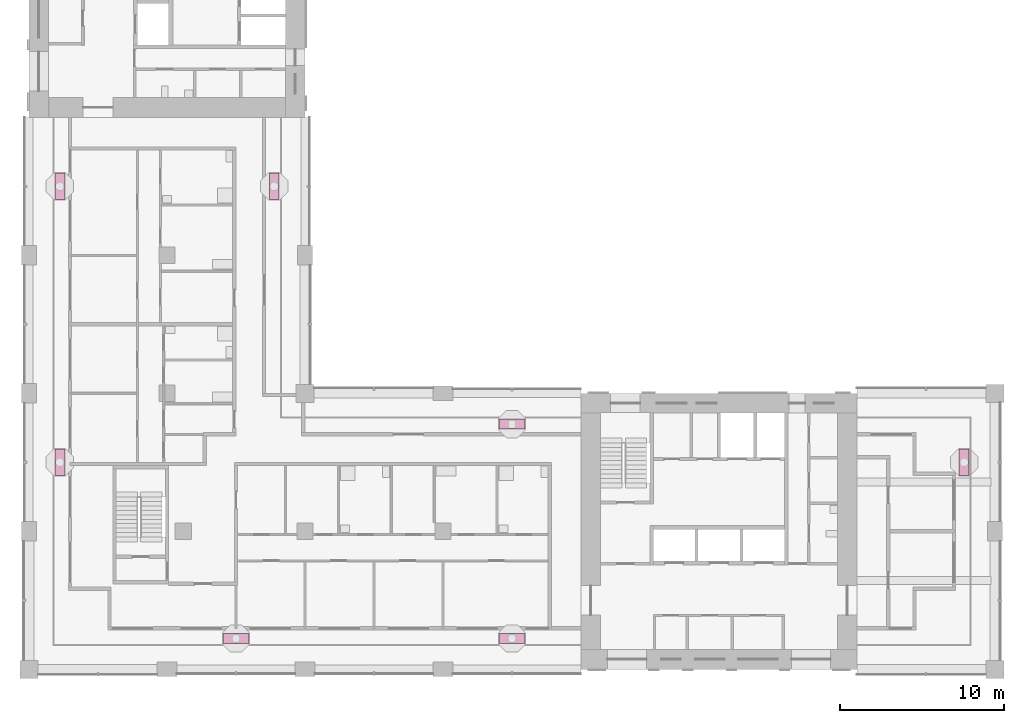
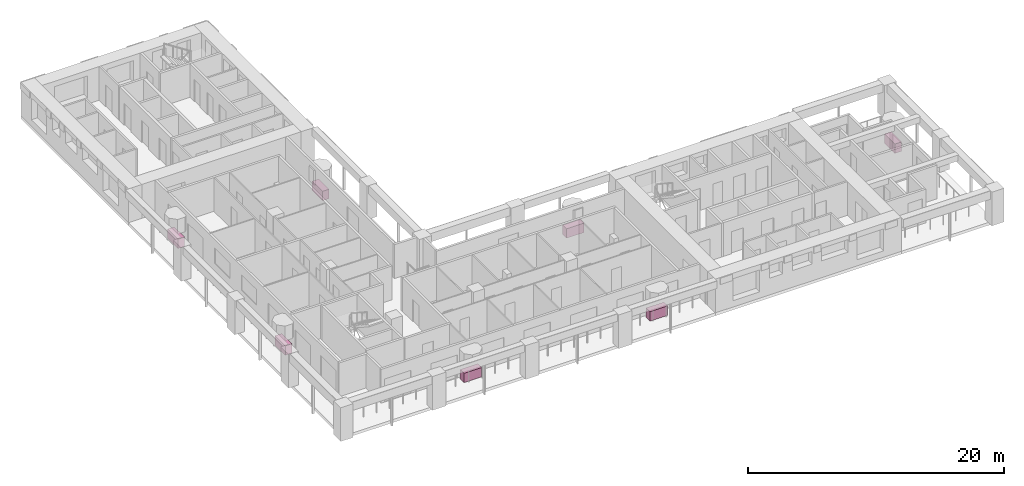
# One storey, part 12 of 13: 7 furniture elements.
"""IFC4 building model written with IfcOpenShell, lengths in metres."""

from ifc_helpers import new_model, si_unit, direction, frame, origin, origin_2d, place, context, subcontext, project, spatial, rectangle, extrude, material, element, save


model = new_model("IFC4")

# Units and contexts
model_context = context("Model", 3, precision=1e-05, world=origin(), true_north=direction((0.0, 1.0)))
body_context = subcontext(model_context, "Body", "Model", "MODEL_VIEW")
ifc_project = project(units=[si_unit("LENGTHUNIT", "METRE"), si_unit("AREAUNIT", "SQUARE_METRE"), si_unit("VOLUMEUNIT", "CUBIC_METRE"), si_unit("PLANEANGLEUNIT", "RADIAN"), si_unit("MASSUNIT", "GRAM", prefix="KILO")], contexts=[model_context])

# Site, building, storey
site_placement = place(None, origin())
site = spatial("IfcSite", under=ifc_project, at=site_placement, CompositionType="ELEMENT")
building_placement = place(site_placement, origin())
building = spatial("IfcBuilding", under=site, at=building_placement, Name="Vermilion Gate Residences", CompositionType="ELEMENT")
storey_placement = place(building_placement, frame((0.0, 0.0, 147.699951171875)))
storey = spatial("IfcBuildingStorey", under=building, at=storey_placement, Name="L37", CompositionType="ELEMENT", Elevation=147.699951171875)

# Furniture
ifc_material = material(Name="Terracotta planter", Category="masonry")
for number, where, z_axis, x_axis, name in (
    (1, (21.0, 10.27490234375, 0.0), (0.0, 0.0, 1.0), (1.0, 0.0, 0.0), "PLANTER"),
    (2, (37.800048828125, 10.27490234375, 0.0), (0.0, 0.0, 1.0), (1.0, 0.0, 0.0), "PLANTER"),
    (3, (65.324951171875, 21.0, 0.0), (0.0, 0.0, 1.0), (0.0, 1.0, 0.0), "PLANTER"),
    (4, (37.800048828125, 23.324951171875, 0.0), (0.0, 0.0, 1.0), (-1.0, 0.0, 0.0), "PLANTER"),
    (5, (23.324951171875, 37.800048828125, 0.0), (0.0, 0.0, 1.0), (0.0, 1.0, 0.0), "PLANTER"),
    (6, (10.27490234375, 21.0, 0.0), (0.0, 0.0, 1.0), (0.0, -1.0, 0.0), "PLANTER"),
    (7, (10.27490234375, 37.800048828125, 0.0), (0.0, 0.0, 1.0), (0.0, -1.0, 0.0), "PLANTER"),
):
    element("IfcFurniture", number, at=place(storey_placement, frame(where, z_axis=z_axis, x_axis=x_axis)), inside=storey, material=ifc_material, Name=name, ObjectType="PLANTER", PredefinedType="USERDEFINED", context=body_context, shape_type="SweptSolid", body=[
        extrude(rectangle(XDim=1.60009765625, YDim=0.60009765625, at=origin_2d()), origin(), (0.0, 0.0, 1.0), 0.89990234375),
    ])

save(model, "model.ifc")
